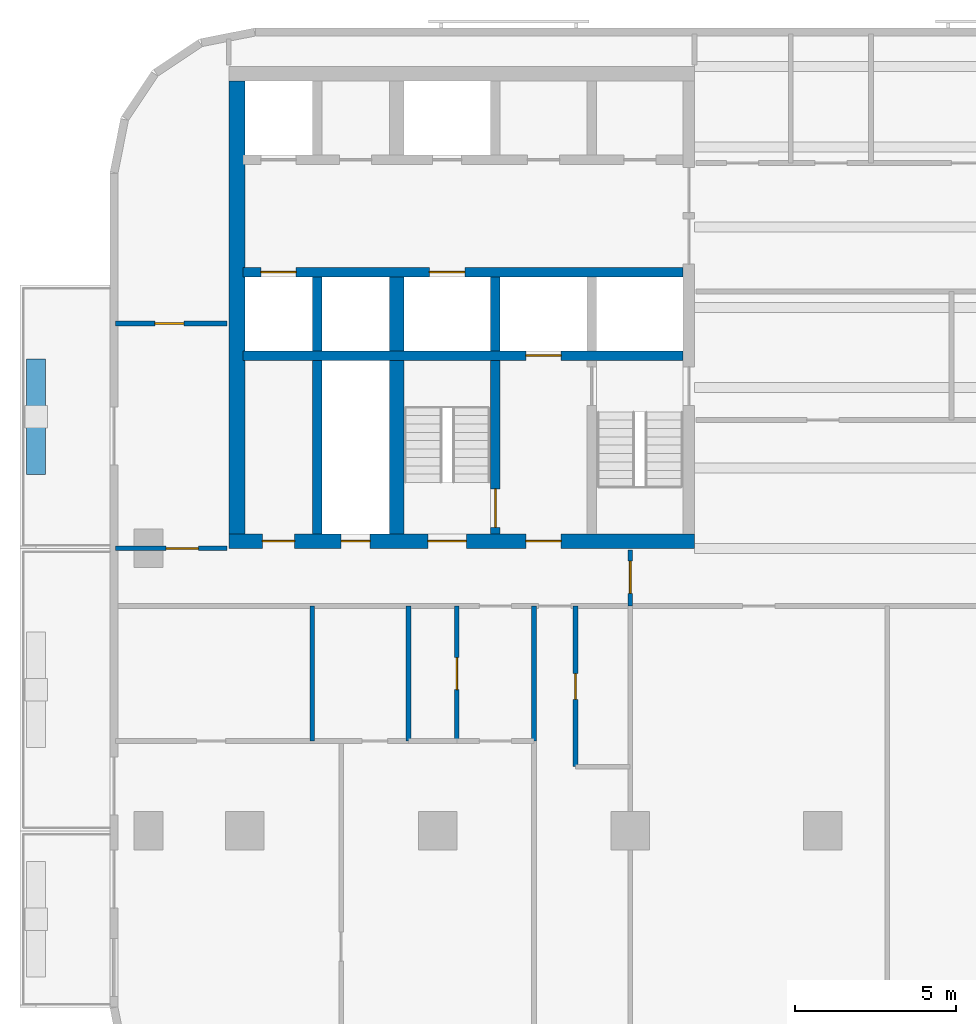
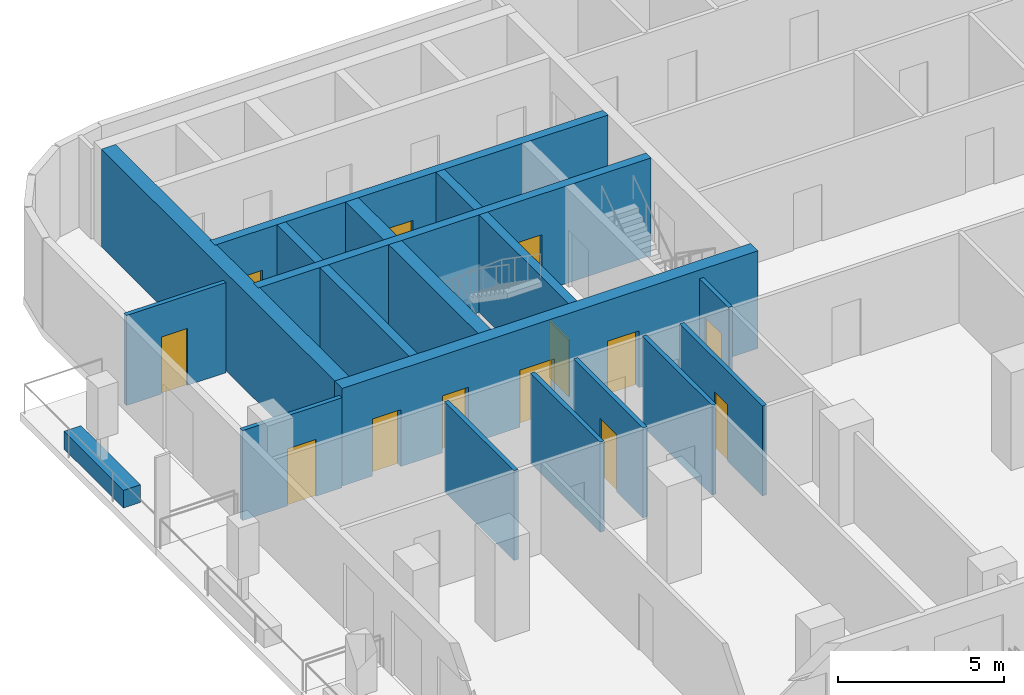
# One storey, part 3 of 11: 19 walls, 13 doors, 13 openings.
"""IFC4 building model written with IfcOpenShell, lengths in metres."""

from ifc_helpers import new_model, si_unit, direction, frame, frame_2d, origin, place, context, subcontext, project, spatial, rectangle, extrude, material, layer, layer_set, type_object, element, fill, save


model = new_model("IFC4")

# Units and contexts
model_context = context("Model", 3, precision=1e-05, world=origin(), true_north=direction((0.0, 1.0)))
body_context = subcontext(model_context, "Body", "Model", "MODEL_VIEW")
ifc_project = project(units=[si_unit("LENGTHUNIT", "METRE"), si_unit("AREAUNIT", "SQUARE_METRE"), si_unit("VOLUMEUNIT", "CUBIC_METRE"), si_unit("PLANEANGLEUNIT", "RADIAN"), si_unit("MASSUNIT", "GRAM", prefix="KILO")], contexts=[model_context])

# Site, building, storey
site_placement = place(None, origin())
site = spatial("IfcSite", under=ifc_project, at=site_placement, CompositionType="ELEMENT")
building_placement = place(site_placement, origin())
building = spatial("IfcBuilding", under=site, at=building_placement, Name="Torana Hotel and Residences", CompositionType="ELEMENT")
storey_placement = place(building_placement, frame((0.0, 0.0, 148.800048828125)))
storey = spatial("IfcBuildingStorey", under=building, at=storey_placement, Name="L38", CompositionType="ELEMENT", Elevation=148.800048828125)

# Wall, openings, doors
ifc_material_1 = material(Name="Concrete C70/85", Category="concrete")
ifc_layer_1 = layer(ifc_material_1, 0.300048828125)
ifc_layer_set_1 = layer_set([ifc_layer_1], Name="CORE WALL 300 C70/85")
wall_type_1 = type_object("IfcWallType", Name="CORE WALL 300 C70/85", PredefinedType="SHEAR", material=ifc_layer_set_1)
wall_1_placement = place(storey_placement, frame((-24.050048828125, -6.39990234375, 0.0), z_axis=(0.0, 0.0, 1.0), x_axis=(1.0, 0.0, 0.0)))
wall_1 = element("IfcWall", 1, at=wall_1_placement, inside=storey, type_object=wall_type_1, Name="Core wall W row-S", PredefinedType="SHEAR", context=body_context, shape_type="SweptSolid", body=[
    extrude(rectangle(XDim=13.699951171875, YDim=0.300048828125, at=frame_2d((6.85009765625, 0.0))), origin(), (0.0, 0.0, 1.0), 3.599853515625),
])
opening_1_placement = place(wall_1_placement, frame((0.550048828125, 0.0, 0.0)))
opening_1 = element("IfcOpeningElement", 2, at=opening_1_placement, cuts=wall_1, Name="Opening LD", PredefinedType="OPENING", context=body_context, shape_type="SweptSolid", body=[
    extrude(rectangle(XDim=1.10009765625, YDim=2.10009765625, at=frame_2d((0.550048828125, 1.050048828125))), frame((0.0, 0.159912109375, 0.0), z_axis=(0.0, -1.0, 0.0), x_axis=(1.0, 0.0, 0.0)), (0.0, 0.0, 1.0), 0.320068359375),
])
opening_2_placement = place(wall_1_placement, frame((5.800048828125, 0.0, 0.0)))
opening_2 = element("IfcOpeningElement", 3, at=opening_2_placement, cuts=wall_1, Name="Opening LD", PredefinedType="OPENING", context=body_context, shape_type="SweptSolid", body=[
    extrude(rectangle(XDim=1.10009765625, YDim=2.10009765625, at=frame_2d((0.550048828125, 1.050048828125))), frame((0.0, 0.159912109375, 0.0), z_axis=(0.0, -1.0, 0.0), x_axis=(1.0, 0.0, 0.0)), (0.0, 0.0, 1.0), 0.320068359375),
])
ifc_material_2 = material(Name="Stainless steel 316", Category="steel")
door_type_1 = type_object("IfcDoorType", Name="LIFT LANDING DOOR LD 1100x2100", OperationType="DOUBLE_DOOR_SLIDING", PredefinedType="USERDEFINED", material=ifc_material_2)
door_1_placement = place(opening_1_placement, origin())
door_1 = element("IfcDoor", 4, at=door_1_placement, inside=storey, type_object=door_type_1, Name="Lift landing door M2 L38", ObjectType="LIFT LANDING DOOR", OperationType="DOUBLE_DOOR_SLIDING", OverallHeight=2.10009765625, OverallWidth=1.10009765625, PredefinedType="USERDEFINED", context=body_context, shape_type="SweptSolid", body=[
    extrude(rectangle(XDim=1.10009765625, YDim=2.10009765625, at=frame_2d((0.550048828125, 1.050048828125))), frame((0.0, 0.02490234375, 0.0), z_axis=(0.0, -1.0, 0.0), x_axis=(1.0, 0.0, 0.0)), (0.0, 0.0, 1.0), 0.050048828125),
])
fill(opening_1, door_1)
door_2_placement = place(opening_2_placement, origin())
door_2 = element("IfcDoor", 5, at=door_2_placement, inside=storey, type_object=door_type_1, Name="Lift landing door SV1 L38", ObjectType="LIFT LANDING DOOR", OperationType="DOUBLE_DOOR_SLIDING", OverallHeight=2.10009765625, OverallWidth=1.10009765625, PredefinedType="USERDEFINED", context=body_context, shape_type="SweptSolid", body=[
    extrude(rectangle(XDim=1.10009765625, YDim=2.10009765625, at=frame_2d((0.550048828125, 1.050048828125))), frame((0.0, 0.02490234375, 0.0), z_axis=(0.0, -1.0, 0.0), x_axis=(1.0, 0.0, 0.0)), (0.0, 0.0, 1.0), 0.050048828125),
])
fill(opening_2, door_2)

# Wall, opening, door
wall_2_placement = place(storey_placement, frame((-24.050048828125, -9.0, 0.0), z_axis=(0.0, 0.0, 1.0), x_axis=(1.0, 0.0, 0.0)))
wall_2 = element("IfcWall", 6, at=wall_2_placement, inside=storey, type_object=wall_type_1, Name="Core wall W band", PredefinedType="SHEAR", context=body_context, shape_type="SweptSolid", body=[
    extrude(rectangle(XDim=13.699951171875, YDim=0.300048828125, at=frame_2d((6.85009765625, 0.0))), origin(), (0.0, 0.0, 1.0), 3.599853515625),
])
opening_3_placement = place(wall_2_placement, frame((8.800048828125, 0.0, 0.0)))
opening_3 = element("IfcOpeningElement", 7, at=opening_3_placement, cuts=wall_2, Name="Opening LD", PredefinedType="OPENING", context=body_context, shape_type="SweptSolid", body=[
    extrude(rectangle(XDim=1.10009765625, YDim=2.10009765625, at=frame_2d((0.550048828125, 1.050048828125))), frame((0.0, 0.159912109375, 0.0), z_axis=(0.0, -1.0, 0.0), x_axis=(1.0, 0.0, 0.0)), (0.0, 0.0, 1.0), 0.320068359375),
])
door_3_placement = place(opening_3_placement, origin())
door_3 = element("IfcDoor", 8, at=door_3_placement, inside=storey, type_object=door_type_1, Name="Lift landing door FF1 L38", ObjectType="LIFT LANDING DOOR", OperationType="DOUBLE_DOOR_SLIDING", OverallHeight=2.10009765625, OverallWidth=1.10009765625, PredefinedType="USERDEFINED", context=body_context, shape_type="SweptSolid", body=[
    extrude(rectangle(XDim=1.10009765625, YDim=2.10009765625, at=frame_2d((0.550048828125, 1.050048828125))), frame((0.0, 0.02490234375, 0.0), z_axis=(0.0, -1.0, 0.0), x_axis=(1.0, 0.0, 0.0)), (0.0, 0.0, 1.0), 0.050048828125),
])
fill(opening_3, door_3)

# Wall
wall_3_placement = place(storey_placement, frame((-16.199951171875, -8.85009765625, 0.0), z_axis=(0.0, 0.0, 1.0), x_axis=(0.0, 1.0, 0.0)))
element("IfcWall", 9, at=wall_3_placement, inside=storey, type_object=wall_type_1, Name="Core wall W x6.05-S", PredefinedType="SHEAR", context=body_context, shape_type="SweptSolid", body=[
    extrude(rectangle(XDim=2.300048828125, YDim=0.300048828125, at=frame_2d((1.14990234375, 0.0))), origin(), (0.0, 0.0, 1.0), 3.599853515625),
])

# Wall, opening, door
wall_4_placement = place(storey_placement, frame((-16.199951171875, -14.550048828125, 0.0), z_axis=(0.0, 0.0, 1.0), x_axis=(0.0, 1.0, 0.0)))
wall_4 = element("IfcWall", 10, at=wall_4_placement, inside=storey, type_object=wall_type_1, Name="Core wall W x6.05-band", PredefinedType="SHEAR", context=body_context, shape_type="SweptSolid", body=[
    extrude(rectangle(XDim=5.400146484375, YDim=0.300048828125, at=frame_2d((2.7001953125, 0.0))), origin(), (0.0, 0.0, 1.0), 3.599853515625),
])
opening_4_placement = place(wall_4_placement, frame((0.199951171875, 0.0, 0.0)))
opening_4 = element("IfcOpeningElement", 11, at=opening_4_placement, cuts=wall_4, Name="Opening L38-13", PredefinedType="OPENING", context=body_context, shape_type="SweptSolid", body=[
    extrude(rectangle(XDim=1.199951171875, YDim=2.10009765625, at=frame_2d((0.60009765625, 1.050048828125))), frame((0.0, 0.159912109375, 0.0), z_axis=(0.0, -1.0, 0.0), x_axis=(1.0, 0.0, 0.0)), (0.0, 0.0, 1.0), 0.320068359375),
])
ifc_material_3 = material(Name="Steel S235", Category="steel")
door_type_2 = type_object("IfcDoorType", Name="STAIR FIRE DOOR D3 1200x2100", OperationType="SINGLE_SWING_LEFT", PredefinedType="DOOR", material=ifc_material_3)
door_4_placement = place(opening_4_placement, origin())
door_4 = element("IfcDoor", 12, at=door_4_placement, inside=storey, type_object=door_type_2, Name="Stair-B-lobby door L38", OperationType="SINGLE_SWING_RIGHT", OverallHeight=2.10009765625, OverallWidth=1.199951171875, PredefinedType="DOOR", context=body_context, shape_type="SweptSolid", body=[
    extrude(rectangle(XDim=1.199951171875, YDim=2.10009765625, at=frame_2d((0.60009765625, 1.050048828125))), frame((0.0, 0.02490234375, 0.0), z_axis=(0.0, -1.0, 0.0), x_axis=(1.0, 0.0, 0.0)), (0.0, 0.0, 1.0), 0.050048828125),
])
fill(opening_4, door_4)

# Walls
wall_5_placement = place(storey_placement, frame((-21.75, -8.85009765625, 0.0), z_axis=(0.0, 0.0, 1.0), x_axis=(0.0, 1.0, 0.0)))
element("IfcWall", 13, at=wall_5_placement, inside=storey, type_object=wall_type_1, Name="Core wall W mm-S", PredefinedType="SHEAR", context=body_context, shape_type="SweptSolid", body=[
    extrude(rectangle(XDim=2.300048828125, YDim=0.300048828125, at=frame_2d((1.14990234375, 0.0))), origin(), (0.0, 0.0, 1.0), 3.599853515625),
])
wall_6_placement = place(storey_placement, frame((-21.75, -14.550048828125, 0.0), z_axis=(0.0, 0.0, 1.0), x_axis=(0.0, 1.0, 0.0)))
element("IfcWall", 14, at=wall_6_placement, inside=storey, type_object=wall_type_1, Name="Core wall W mm-band", PredefinedType="SHEAR", context=body_context, shape_type="SweptSolid", body=[
    extrude(rectangle(XDim=5.400146484375, YDim=0.300048828125, at=frame_2d((2.7001953125, 0.0))), origin(), (0.0, 0.0, 1.0), 3.599853515625),
])

# Wall, openings, doors
ifc_material_4 = material(Name="Concrete C70/85", Category="concrete")
ifc_layer_2 = layer(ifc_material_4, 0.449951171875)
ifc_layer_set_2 = layer_set([ifc_layer_2], Name="CORE WALL 450 C70/85")
wall_type_2 = type_object("IfcWallType", Name="CORE WALL 450 C70/85", PredefinedType="SHEAR", material=ifc_layer_set_2)
wall_7_placement = place(storey_placement, frame((-24.5, -14.77490234375, 0.0), z_axis=(0.0, 0.0, 1.0), x_axis=(1.0, 0.0, 0.0)))
wall_7 = element("IfcWall", 15, at=wall_7_placement, inside=storey, type_object=wall_type_2, Name="Core wall W front", PredefinedType="SHEAR", context=body_context, shape_type="SweptSolid", body=[
    extrude(rectangle(XDim=14.5, YDim=0.449951171875, at=frame_2d((7.25, 0.0))), origin(), (0.0, 0.0, 1.0), 3.599853515625),
])
opening_5_placement = place(wall_7_placement, frame((6.199951171875, 0.0, 0.0)))
opening_5 = element("IfcOpeningElement", 16, at=opening_5_placement, cuts=wall_7, Name="Opening L38-04", PredefinedType="OPENING", context=body_context, shape_type="SweptSolid", body=[
    extrude(rectangle(XDim=1.199951171875, YDim=2.10009765625, at=frame_2d((0.60009765625, 1.050048828125))), frame((0.0, 0.23486328125, 0.0), z_axis=(0.0, -1.0, 0.0), x_axis=(1.0, 0.0, 0.0)), (0.0, 0.0, 1.0), 0.469970703125),
])
opening_6_placement = place(wall_7_placement, frame((9.25, 0.0, 0.0)))
opening_6 = element("IfcOpeningElement", 17, at=opening_6_placement, cuts=wall_7, Name="Opening L38-05", PredefinedType="OPENING", context=body_context, shape_type="SweptSolid", body=[
    extrude(rectangle(XDim=1.10009765625, YDim=2.10009765625, at=frame_2d((0.550048828125, 1.050048828125))), frame((0.0, 0.23486328125, 0.0), z_axis=(0.0, -1.0, 0.0), x_axis=(1.0, 0.0, 0.0)), (0.0, 0.0, 1.0), 0.469970703125),
])
opening_7_placement = place(wall_7_placement, frame((3.5, 0.0, 0.0)))
opening_7 = element("IfcOpeningElement", 18, at=opening_7_placement, cuts=wall_7, Name="Opening L38-06", PredefinedType="OPENING", context=body_context, shape_type="SweptSolid", body=[
    extrude(rectangle(XDim=0.89990234375, YDim=2.10009765625, at=frame_2d((0.449951171875, 1.050048828125))), frame((0.0, 0.23486328125, 0.0), z_axis=(0.0, -1.0, 0.0), x_axis=(1.0, 0.0, 0.0)), (0.0, 0.0, 1.0), 0.469970703125),
])
opening_8_placement = place(wall_7_placement, frame((1.050048828125, 0.0, 0.0)))
opening_8 = element("IfcOpeningElement", 19, at=opening_8_placement, cuts=wall_7, Name="Opening L38-07", PredefinedType="OPENING", context=body_context, shape_type="SweptSolid", body=[
    extrude(rectangle(XDim=1.0, YDim=2.10009765625, at=frame_2d((0.5, 1.050048828125))), frame((0.0, 0.23486328125, 0.0), z_axis=(0.0, -1.0, 0.0), x_axis=(1.0, 0.0, 0.0)), (0.0, 0.0, 1.0), 0.469970703125),
])
ifc_material_5 = material(Name="Steel S235", Category="steel")
door_type_3 = type_object("IfcDoorType", Name="CORE ROOM FIRE DOOR D14 1000x2100", OperationType="SINGLE_SWING_LEFT", PredefinedType="DOOR", material=ifc_material_5)
door_5_placement = place(opening_8_placement, origin())
door_5 = element("IfcDoor", 20, at=door_5_placement, inside=storey, type_object=door_type_3, Name="M-Room door L38", OperationType="SINGLE_SWING_RIGHT", OverallHeight=2.10009765625, OverallWidth=1.0, PredefinedType="DOOR", context=body_context, shape_type="SweptSolid", body=[
    extrude(rectangle(XDim=1.0, YDim=2.10009765625, at=frame_2d((0.5, 1.050048828125))), frame((0.0, 0.02490234375, 0.0), z_axis=(0.0, -1.0, 0.0), x_axis=(1.0, 0.0, 0.0)), (0.0, 0.0, 1.0), 0.050048828125),
])
fill(opening_8, door_5)
ifc_material_6 = material(Name="Steel S235", Category="steel")
door_type_4 = type_object("IfcDoorType", Name="FIRE-FIGHTING LOBBY DOOR D8 1100x2100", OperationType="SINGLE_SWING_LEFT", PredefinedType="DOOR", material=ifc_material_6)
door_6_placement = place(opening_6_placement, origin())
door_6 = element("IfcDoor", 21, at=door_6_placement, inside=storey, type_object=door_type_4, Name="FF-lobby door L38", OperationType="SINGLE_SWING_RIGHT", OverallHeight=2.10009765625, OverallWidth=1.10009765625, PredefinedType="DOOR", context=body_context, shape_type="SweptSolid", body=[
    extrude(rectangle(XDim=1.10009765625, YDim=2.10009765625, at=frame_2d((0.550048828125, 1.050048828125))), frame((0.0, 0.02490234375, 0.0), z_axis=(0.0, -1.0, 0.0), x_axis=(1.0, 0.0, 0.0)), (0.0, 0.0, 1.0), 0.050048828125),
])
fill(opening_6, door_6)
ifc_material_7 = material(Name="Steel S235", Category="steel")
door_type_5 = type_object("IfcDoorType", Name="RISER ACCESS DOOR D5 900x2100", OperationType="SINGLE_SWING_LEFT", PredefinedType="DOOR", material=ifc_material_7)
door_7_placement = place(opening_7_placement, origin())
door_7 = element("IfcDoor", 22, at=door_7_placement, inside=storey, type_object=door_type_5, Name="M-Riser door L38", OperationType="SINGLE_SWING_RIGHT", OverallHeight=2.10009765625, OverallWidth=0.89990234375, PredefinedType="DOOR", context=body_context, shape_type="SweptSolid", body=[
    extrude(rectangle(XDim=0.89990234375, YDim=2.10009765625, at=frame_2d((0.449951171875, 1.050048828125))), frame((0.0, 0.02490234375, 0.0), z_axis=(0.0, -1.0, 0.0), x_axis=(1.0, 0.0, 0.0)), (0.0, 0.0, 1.0), 0.050048828125),
])
fill(opening_7, door_7)
door_8_placement = place(opening_5_placement, origin())
door_8 = element("IfcDoor", 23, at=door_8_placement, inside=storey, type_object=door_type_2, Name="Stair-B door L38", OperationType="SINGLE_SWING_RIGHT", OverallHeight=2.10009765625, OverallWidth=1.199951171875, PredefinedType="DOOR", context=body_context, shape_type="SweptSolid", body=[
    extrude(rectangle(XDim=1.199951171875, YDim=2.10009765625, at=frame_2d((0.60009765625, 1.050048828125))), frame((0.0, 0.02490234375, 0.0), z_axis=(0.0, -1.0, 0.0), x_axis=(1.0, 0.0, 0.0)), (0.0, 0.0, 1.0), 0.050048828125),
])
fill(opening_5, door_8)

# Walls
wall_8_placement = place(storey_placement, frame((-19.27490234375, -8.85009765625, 0.0), z_axis=(0.0, 0.0, 1.0), x_axis=(0.0, 1.0, 0.0)))
element("IfcWall", 24, at=wall_8_placement, inside=storey, type_object=wall_type_2, Name="Core wall W hm-S", PredefinedType="SHEAR", context=body_context, shape_type="SweptSolid", body=[
    extrude(rectangle(XDim=2.300048828125, YDim=0.449951171875, at=frame_2d((1.14990234375, 0.0))), origin(), (0.0, 0.0, 1.0), 3.599853515625),
])
wall_9_placement = place(storey_placement, frame((-19.27490234375, -14.550048828125, 0.0), z_axis=(0.0, 0.0, 1.0), x_axis=(0.0, 1.0, 0.0)))
element("IfcWall", 25, at=wall_9_placement, inside=storey, type_object=wall_type_2, Name="Core wall W hm-band", PredefinedType="SHEAR", context=body_context, shape_type="SweptSolid", body=[
    extrude(rectangle(XDim=5.400146484375, YDim=0.449951171875, at=frame_2d((2.7001953125, 0.0))), origin(), (0.0, 0.0, 1.0), 3.599853515625),
])
ifc_material_8 = material(Name="Concrete C70/85", Category="concrete")
ifc_layer_3 = layer(ifc_material_8, 0.5)
ifc_layer_set_3 = layer_set([ifc_layer_3], Name="CORE WALL 500 C70/85")
wall_type_3 = type_object("IfcWallType", Name="CORE WALL 500 C70/85", PredefinedType="SHEAR", material=ifc_layer_set_3)
wall_10_placement = place(storey_placement, frame((-24.25, -14.550048828125, 0.0), z_axis=(0.0, 0.0, 1.0), x_axis=(0.0, 1.0, 0.0)))
element("IfcWall", 26, at=wall_10_placement, inside=storey, type_object=wall_type_3, Name="Core wall W outer", PredefinedType="SHEAR", context=body_context, shape_type="SweptSolid", body=[
    extrude(rectangle(XDim=14.10009765625, YDim=0.5, at=frame_2d((7.050048828125, 0.0))), origin(), (0.0, 0.0, 1.0), 3.599853515625),
])

# Wall, opening, door
ifc_material_9 = material(Name="Gypsum plaster")
ifc_layer_4 = layer(ifc_material_9, 0.014892578125, Name="Plaster", Category="finish")
ifc_material_10 = material(Name="Concrete blockwork", Category="masonry")
ifc_layer_5 = layer(ifc_material_10, 0.1201171875, Name="Blockwork", Category="structure")
ifc_layer_6 = layer(ifc_material_9, 0.014892578125, Name="Plaster", Category="finish")
ifc_layer_set_4 = layer_set([ifc_layer_4, ifc_layer_5, ifc_layer_6], Name="FIRE PARTITION 150 BLOCKWORK")
wall_type_4 = type_object("IfcWallType", Name="FIRE PARTITION 150 BLOCKWORK", PredefinedType="PARTITIONING", material=ifc_layer_set_4)
wall_11_placement = place(storey_placement, frame((-12.0, -16.800048828125, 0.0), z_axis=(0.0, 0.0, 1.0), x_axis=(0.0, 1.0, 0.0)))
wall_11 = element("IfcWall", 27, at=wall_11_placement, inside=storey, type_object=wall_type_4, Name="Partition L38", PredefinedType="PARTITIONING", context=body_context, shape_type="SweptSolid", body=[
    extrude(rectangle(XDim=1.75, YDim=0.14990234375, at=frame_2d((0.875, 0.0))), origin(), (0.0, 0.0, 1.0), 3.320068359375),
])
opening_9_placement = place(wall_11_placement, frame((0.39990234375, 0.0, 0.0)))
opening_9 = element("IfcOpeningElement", 28, at=opening_9_placement, cuts=wall_11, Name="Opening L38-27", PredefinedType="OPENING", context=body_context, shape_type="SweptSolid", body=[
    extrude(rectangle(XDim=1.0, YDim=2.10009765625, at=frame_2d((0.5, 1.050048828125))), frame((0.0, 0.0849609375, 0.0), z_axis=(0.0, -1.0, 0.0), x_axis=(1.0, 0.0, 0.0)), (0.0, 0.0, 1.0), 0.169921875),
])
ifc_material_11 = material(Name="Steel S235", Category="steel")
door_type_6 = type_object("IfcDoorType", Name="ENTRY FIRE DOOR D6 1000x2100", OperationType="SINGLE_SWING_LEFT", PredefinedType="DOOR", material=ifc_material_11)
door_9_placement = place(opening_9_placement, origin())
door_9 = element("IfcDoor", 29, at=door_9_placement, inside=storey, type_object=door_type_6, Name="Door L38", OperationType="SINGLE_SWING_RIGHT", OverallHeight=2.10009765625, OverallWidth=1.0, PredefinedType="DOOR", context=body_context, shape_type="SweptSolid", body=[
    extrude(rectangle(XDim=1.0, YDim=2.10009765625, at=frame_2d((0.5, 1.050048828125))), frame((0.0, 0.02490234375, 0.0), z_axis=(0.0, -1.0, 0.0), x_axis=(1.0, 0.0, 0.0)), (0.0, 0.0, 1.0), 0.050048828125),
])
fill(opening_9, door_9)

# Wall
wall_12_placement = place(storey_placement, frame((-15.0, -21.0, 0.0), z_axis=(0.0, 0.0, 1.0), x_axis=(0.0, 1.0, 0.0)))
element("IfcWall", 30, at=wall_12_placement, inside=storey, type_object=wall_type_4, Name="Partition L38", PredefinedType="PARTITIONING", context=body_context, shape_type="SweptSolid", body=[
    extrude(rectangle(XDim=4.199951171875, YDim=0.14990234375, at=frame_2d((2.10009765625, 0.0))), origin(), (0.0, 0.0, 1.0), 3.320068359375),
])

# Wall, opening, door
wall_13_placement = place(storey_placement, frame((-17.39990234375, -21.0, 0.0), z_axis=(0.0, 0.0, 1.0), x_axis=(0.0, 1.0, 0.0)))
wall_13 = element("IfcWall", 31, at=wall_13_placement, inside=storey, type_object=wall_type_4, Name="Partition L38", PredefinedType="PARTITIONING", context=body_context, shape_type="SweptSolid", body=[
    extrude(rectangle(XDim=4.199951171875, YDim=0.14990234375, at=frame_2d((2.10009765625, 0.0))), origin(), (0.0, 0.0, 1.0), 3.320068359375),
])
opening_10_placement = place(wall_13_placement, frame((1.60009765625, 0.0, 0.0)))
opening_10 = element("IfcOpeningElement", 32, at=opening_10_placement, cuts=wall_13, Name="Opening L38-48", PredefinedType="OPENING", context=body_context, shape_type="SweptSolid", body=[
    extrude(rectangle(XDim=1.0, YDim=2.10009765625, at=frame_2d((0.5, 1.050048828125))), frame((0.0, 0.0849609375, 0.0), z_axis=(0.0, -1.0, 0.0), x_axis=(1.0, 0.0, 0.0)), (0.0, 0.0, 1.0), 0.169921875),
])
door_10_placement = place(opening_10_placement, origin())
door_10 = element("IfcDoor", 33, at=door_10_placement, inside=storey, type_object=door_type_6, Name="Door L38", OperationType="SINGLE_SWING_RIGHT", OverallHeight=2.10009765625, OverallWidth=1.0, PredefinedType="DOOR", context=body_context, shape_type="SweptSolid", body=[
    extrude(rectangle(XDim=1.0, YDim=2.10009765625, at=frame_2d((0.5, 1.050048828125))), frame((0.0, 0.02490234375, 0.0), z_axis=(0.0, -1.0, 0.0), x_axis=(1.0, 0.0, 0.0)), (0.0, 0.0, 1.0), 0.050048828125),
])
fill(opening_10, door_10)

wall_14_placement = place(storey_placement, frame((-28.02001953125, -15.0, 0.0), z_axis=(0.0, 0.0, 1.0), x_axis=(1.0, 0.0, 0.0)))
wall_14 = element("IfcWall", 34, at=wall_14_placement, inside=storey, type_object=wall_type_4, Name="Partition L38", PredefinedType="PARTITIONING", context=body_context, shape_type="SweptSolid", body=[
    extrude(rectangle(XDim=3.469970703125, YDim=0.14990234375, at=frame_2d((1.73486328125, 0.0))), origin(), (0.0, 0.0, 1.0), 3.320068359375),
])
opening_11_placement = place(wall_14_placement, frame((1.570068359375, 0.0, 0.0)))
opening_11 = element("IfcOpeningElement", 35, at=opening_11_placement, cuts=wall_14, Name="Opening L38-30", PredefinedType="OPENING", context=body_context, shape_type="SweptSolid", body=[
    extrude(rectangle(XDim=1.0, YDim=2.10009765625, at=frame_2d((0.5, 1.050048828125))), frame((0.0, 0.0849609375, 0.0), z_axis=(0.0, -1.0, 0.0), x_axis=(1.0, 0.0, 0.0)), (0.0, 0.0, 1.0), 0.169921875),
])
door_11_placement = place(opening_11_placement, origin())
door_11 = element("IfcDoor", 36, at=door_11_placement, inside=storey, type_object=door_type_3, Name="Door L38", OperationType="SINGLE_SWING_RIGHT", OverallHeight=2.10009765625, OverallWidth=1.0, PredefinedType="DOOR", context=body_context, shape_type="SweptSolid", body=[
    extrude(rectangle(XDim=1.0, YDim=2.10009765625, at=frame_2d((0.5, 1.050048828125))), frame((0.0, 0.02490234375, 0.0), z_axis=(0.0, -1.0, 0.0), x_axis=(1.0, 0.0, 0.0)), (0.0, 0.0, 1.0), 0.050048828125),
])
fill(opening_11, door_11)

ifc_material_12 = material(Name="Gypsum plasterboard")
ifc_layer_7 = layer(ifc_material_12, 0.012451171875, Name="Plasterboard", Category="finish")
ifc_layer_8 = layer(ifc_material_12, 0.012451171875, Name="Plasterboard", Category="finish")
ifc_material_13 = material(Name="Steel S280GD", Category="steel")
ifc_layer_9 = layer(ifc_material_13, 0.10009765625, Name="Steel studs with mineral wool", Category="insulation")
ifc_layer_10 = layer(ifc_material_12, 0.012451171875, Name="Plasterboard", Category="finish")
ifc_layer_11 = layer(ifc_material_12, 0.012451171875, Name="Plasterboard", Category="finish")
ifc_layer_set_5 = layer_set([ifc_layer_7, ifc_layer_8, ifc_layer_9, ifc_layer_10, ifc_layer_11], Name="PARTITION 150 PLASTERBOARD")
wall_type_5 = type_object("IfcWallType", Name="PARTITION 150 PLASTERBOARD", PredefinedType="PARTITIONING", material=ifc_layer_set_5)
wall_15_placement = place(storey_placement, frame((-13.699951171875, -21.800048828125, 0.0), z_axis=(0.0, 0.0, 1.0), x_axis=(0.0, 1.0, 0.0)))
wall_15 = element("IfcWall", 37, at=wall_15_placement, inside=storey, type_object=wall_type_5, Name="Partition L38", PredefinedType="PARTITIONING", context=body_context, shape_type="SweptSolid", body=[
    extrude(rectangle(XDim=5.0, YDim=0.14990234375, at=frame_2d((2.5, 0.0))), origin(), (0.0, 0.0, 1.0), 3.320068359375),
])
opening_12_placement = place(wall_15_placement, frame((2.10009765625, 0.0, 0.0)))
opening_12 = element("IfcOpeningElement", 38, at=opening_12_placement, cuts=wall_15, Name="Opening L38-46", PredefinedType="OPENING", context=body_context, shape_type="SweptSolid", body=[
    extrude(rectangle(XDim=0.800048828125, YDim=2.10009765625, at=frame_2d((0.39990234375, 1.050048828125))), frame((0.0, 0.0849609375, 0.0), z_axis=(0.0, -1.0, 0.0), x_axis=(1.0, 0.0, 0.0)), (0.0, 0.0, 1.0), 0.169921875),
])
ifc_material_14 = material(Name="Timber door, painted", Category="wood")
door_type_7 = type_object("IfcDoorType", Name="BATH DOOR D13 800x2100", OperationType="SINGLE_SWING_LEFT", PredefinedType="DOOR", material=ifc_material_14)
door_12_placement = place(opening_12_placement, origin())
door_12 = element("IfcDoor", 39, at=door_12_placement, inside=storey, type_object=door_type_7, Name="Door L38", OperationType="SINGLE_SWING_RIGHT", OverallHeight=2.10009765625, OverallWidth=0.800048828125, PredefinedType="DOOR", context=body_context, shape_type="SweptSolid", body=[
    extrude(rectangle(XDim=0.800048828125, YDim=2.10009765625, at=frame_2d((0.39990234375, 1.050048828125))), frame((0.0, 0.02490234375, 0.0), z_axis=(0.0, -1.0, 0.0), x_axis=(1.0, 0.0, 0.0)), (0.0, 0.0, 1.0), 0.050048828125),
])
fill(opening_12, door_12)

# Wall
wall_16_placement = place(storey_placement, frame((-21.89990234375, -21.0, 0.0), z_axis=(0.0, 0.0, 1.0), x_axis=(0.0, 1.0, 0.0)))
element("IfcWall", 40, at=wall_16_placement, inside=storey, type_object=wall_type_5, Name="Partition L38", PredefinedType="PARTITIONING", context=body_context, shape_type="SweptSolid", body=[
    extrude(rectangle(XDim=4.199951171875, YDim=0.14990234375, at=frame_2d((2.10009765625, 0.0))), origin(), (0.0, 0.0, 1.0), 3.320068359375),
])

# Wall, opening, door
wall_17_placement = place(storey_placement, frame((-28.02001953125, -8.0, 0.0), z_axis=(0.0, 0.0, 1.0), x_axis=(1.0, 0.0, 0.0)))
wall_17 = element("IfcWall", 41, at=wall_17_placement, inside=storey, type_object=wall_type_5, Name="Partition L38", PredefinedType="PARTITIONING", context=body_context, shape_type="SweptSolid", body=[
    extrude(rectangle(XDim=3.469970703125, YDim=0.14990234375, at=frame_2d((1.73486328125, 0.0))), origin(), (0.0, 0.0, 1.0), 3.320068359375),
])
opening_13_placement = place(wall_17_placement, frame((1.219970703125, 0.0, 0.0)))
opening_13 = element("IfcOpeningElement", 42, at=opening_13_placement, cuts=wall_17, Name="Opening L38-58", PredefinedType="OPENING", context=body_context, shape_type="SweptSolid", body=[
    extrude(rectangle(XDim=0.89990234375, YDim=2.10009765625, at=frame_2d((0.449951171875, 1.050048828125))), frame((0.0, 0.0849609375, 0.0), z_axis=(0.0, -1.0, 0.0), x_axis=(1.0, 0.0, 0.0)), (0.0, 0.0, 1.0), 0.169921875),
])
ifc_material_15 = material(Name="Timber door, oiled ash", Category="wood")
door_type_8 = type_object("IfcDoorType", Name="ROOM DOOR D7 900x2100", OperationType="SINGLE_SWING_LEFT", PredefinedType="DOOR", material=ifc_material_15)
door_13_placement = place(opening_13_placement, origin())
door_13 = element("IfcDoor", 43, at=door_13_placement, inside=storey, type_object=door_type_8, Name="Door L38", OperationType="SINGLE_SWING_RIGHT", OverallHeight=2.10009765625, OverallWidth=0.89990234375, PredefinedType="DOOR", context=body_context, shape_type="SweptSolid", body=[
    extrude(rectangle(XDim=0.89990234375, YDim=2.10009765625, at=frame_2d((0.449951171875, 1.050048828125))), frame((0.0, 0.02490234375, 0.0), z_axis=(0.0, -1.0, 0.0), x_axis=(1.0, 0.0, 0.0)), (0.0, 0.0, 1.0), 0.050048828125),
])
fill(opening_13, door_13)

# Walls
ifc_material_16 = material(Name="Concrete C40/50 precast", Category="concrete")
ifc_layer_12 = layer(ifc_material_16, 0.10009765625, Name="Planter shell", Category="structure")
ifc_material_17 = material(Name="Root resistant membrane")
ifc_layer_13 = layer(ifc_material_17, 0.00390625, Name="Waterproofing membrane", Category="membrane")
ifc_material_18 = material(Name="Drainage board with filter fleece")
ifc_layer_14 = layer(ifc_material_18, 0.02001953125, Name="Drainage board", Category="drainage")
ifc_material_19 = material(Name="Growing medium")
ifc_layer_15 = layer(ifc_material_19, 0.47607421875, Name="Planting substrate", Category="soil")
ifc_layer_set_6 = layer_set([ifc_layer_12, ifc_layer_13, ifc_layer_14, ifc_layer_15], Name="PL1 BALCONY PLANTER 600")
wall_type_6 = type_object("IfcWallType", Name="PL1 BALCONY PLANTER 600", PredefinedType="USERDEFINED", material=ifc_layer_set_6)
wall_18_placement = place(storey_placement, frame((-30.5, -12.699951171875, 0.0), z_axis=(0.0, 0.0, 1.0), x_axis=(0.0, 1.0, 0.0)))
element("IfcWall", 44, at=wall_18_placement, inside=storey, type_object=wall_type_6, Name="Planter 11", ObjectType="PLANTER", PredefinedType="USERDEFINED", context=body_context, shape_type="SweptSolid", body=[
    extrude(rectangle(XDim=3.599853515625, YDim=0.60009765625, at=frame_2d((1.7998046875, 0.0))), origin(), (0.0, 0.0, 1.0), 0.64990234375),
])
ifc_material_20 = material(Name="Ceramic tile on adhesive")
ifc_layer_16 = layer(ifc_material_20, 0.010009765625, Name="Wall tile", Category="finish")
ifc_material_21 = material(Name="Cement render")
ifc_layer_17 = layer(ifc_material_21, 0.010009765625, Name="Render", Category="finish")
ifc_layer_18 = layer(ifc_material_10, 0.110107421875, Name="Blockwork", Category="structure")
ifc_layer_19 = layer(ifc_material_21, 0.010009765625, Name="Render", Category="finish")
ifc_layer_20 = layer(ifc_material_20, 0.010009765625, Name="Wall tile", Category="finish")
ifc_layer_set_7 = layer_set([ifc_layer_16, ifc_layer_17, ifc_layer_18, ifc_layer_19, ifc_layer_20], Name="WC PARTITION 150")
wall_type_7 = type_object("IfcWallType", Name="WC PARTITION 150", PredefinedType="PLUMBINGWALL", material=ifc_layer_set_7)
wall_19_placement = place(storey_placement, frame((-18.89990234375, -21.0, 0.0), z_axis=(0.0, 0.0, 1.0), x_axis=(0.0, 1.0, 0.0)))
element("IfcWall", 45, at=wall_19_placement, inside=storey, type_object=wall_type_7, Name="Partition L38", PredefinedType="PLUMBINGWALL", context=body_context, shape_type="SweptSolid", body=[
    extrude(rectangle(XDim=4.199951171875, YDim=0.14990234375, at=frame_2d((2.10009765625, 0.0))), origin(), (0.0, 0.0, 1.0), 3.320068359375),
])

save(model, "model.ifc")
